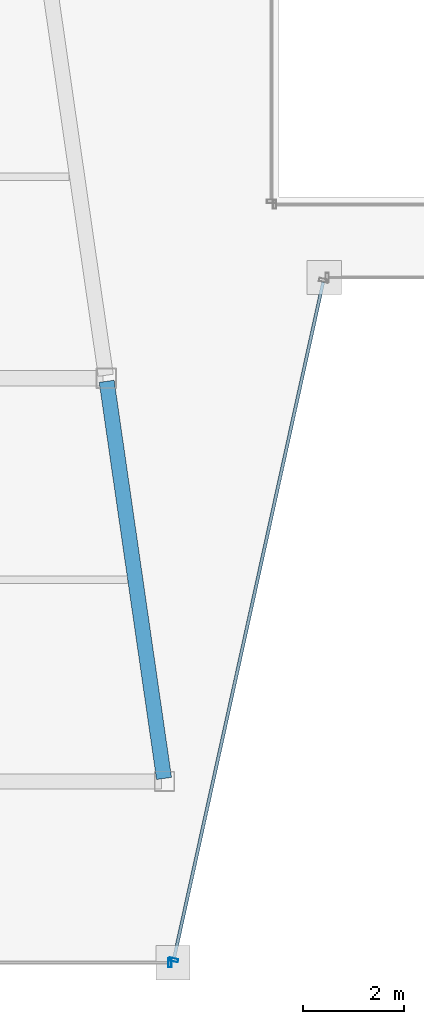
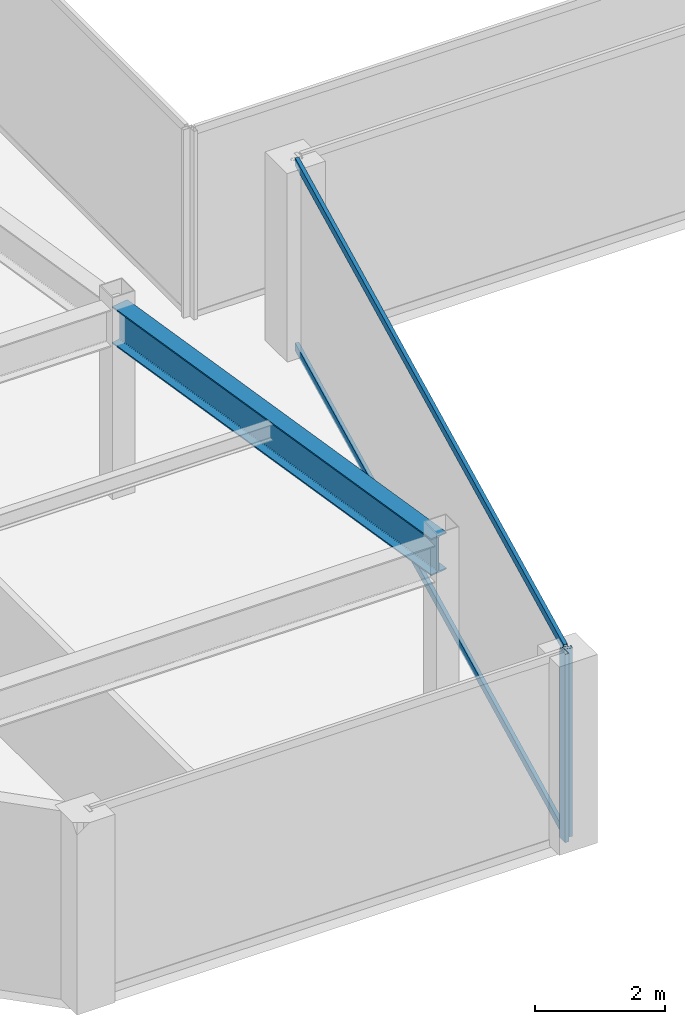
# One storey, part 6 of 35: 4 members, 1 beam, 2 elements without a shape of their own.
"""IFC4 building model written with IfcOpenShell, lengths in metres."""

from ifc_helpers import new_model, si_unit, direction, frame, origin, origin_2d, place, context, subcontext, project, spatial, hollow_rectangle, i_section, extrude, material, material_profile, profile_set, type_object, element, aggregate, save


model = new_model("IFC4")

# Units and contexts
model_context = context("Model", 3, precision=1e-05, world=origin(), true_north=direction((0.0, 1.0)))
body_context = subcontext(model_context, "Body", "Model", "MODEL_VIEW")
ifc_project = project(units=[si_unit("LENGTHUNIT", "METRE"), si_unit("AREAUNIT", "SQUARE_METRE"), si_unit("VOLUMEUNIT", "CUBIC_METRE"), si_unit("PLANEANGLEUNIT", "RADIAN"), si_unit("MASSUNIT", "GRAM", prefix="KILO")], contexts=[model_context])

# Site, building, storey
site_placement = place(None, origin())
site = spatial("IfcSite", under=ifc_project, at=site_placement, CompositionType="ELEMENT")
building_placement = place(site_placement, origin())
building = spatial("IfcBuilding", under=site, at=building_placement, Name="Saevonmaru Cultural Tower", CompositionType="ELEMENT")
storey_placement = place(building_placement, frame((0.0, 0.0, 217.0)))
storey = spatial("IfcBuildingStorey", under=building, at=storey_placement, Name="L50", CompositionType="ELEMENT", Elevation=217.0)

# Beam
ifc_material_1 = material(Name="Steel SM355", Category="steel")
ifc_material_profile_1 = material_profile(ifc_material_1, i_section(OverallWidth=0.300048828125, OverallDepth=0.699951171875, WebThickness=0.012939453125, FlangeThickness=0.02392578125, FilletRadius=0.02587890625, at=origin_2d()), Name="H-700x300x13x24")
ifc_profile_set_1 = profile_set([ifc_material_profile_1], Name="Steel SM355")
beam_type = type_object("IfcBeamType", Name="BM-G-H700", PredefinedType="BEAM", material=ifc_profile_set_1)
beam_placement = place(storey_placement, frame((21.91943359375, 16.059326171875, 3.199951171875), z_axis=(-0.143022161059, 0.989719486241, 0.0), x_axis=(-0.989719486241, -0.143022161059, 0.0)))
element("IfcBeam", 1, at=beam_placement, inside=storey, type_object=beam_type, Name="L50 West Atrium Girder 1", PredefinedType="BEAM", context=body_context, shape_type="SweptSolid", body=[
    extrude(i_section(OverallWidth=0.300048828125, OverallDepth=0.699951171875, WebThickness=0.012939453125, FlangeThickness=0.02392578125, FilletRadius=0.02587890625, at=origin_2d()), origin(), (0.0, 0.0, 1.0), 7.963134765625),
])

# Curtain wall, member
ifc_material_2 = material(Name="Satin Bronze Anodised Aluminium", Category="aluminium")
curtain_wall_type = type_object("IfcCurtainWallType", Name="CW-TYP-B", PredefinedType="NOTDEFINED", material=ifc_material_2)
curtain_wall_1_placement = place(storey_placement, origin())
curtain_wall_1 = element("IfcCurtainWall", 2, at=curtain_wall_1_placement, inside=storey, type_object=curtain_wall_type, Name="L50 Unitised Curtain Wall E2", PredefinedType="NOTDEFINED")
ifc_material_profile_2 = material_profile(ifc_material_2, hollow_rectangle(XDim=0.06494140625, YDim=0.179931640625, WallThickness=0.00390625, at=origin_2d()), Name="ALU-MULL-180x65x4")
ifc_profile_set_2 = profile_set([ifc_material_profile_2], Name="Satin Bronze Anodised Aluminium")
member_type_1 = type_object("IfcMemberType", Name="ML-CW-180x65", PredefinedType="MULLION", material=ifc_profile_set_2)
member_1_placement = place(storey_placement, frame((22.037841796875, 12.39990234375, 0.0), z_axis=(0.0, 0.0, 1.0), x_axis=(1.0, 0.0, 0.0)))
member_1 = element("IfcMember", 3, at=member_1_placement, type_object=member_type_1, Name="CW-TW-L50-E2 mullion 2", PredefinedType="MULLION", context=body_context, shape_type="SweptSolid", body=[
    extrude(hollow_rectangle(XDim=0.06494140625, YDim=0.179931640625, WallThickness=0.00390625, at=origin_2d()), origin(), (0.0, 0.0, 1.0), 3.550048828125),
])
aggregate(curtain_wall_1, [member_1])

# Curtain wall, members
curtain_wall_2_placement = place(storey_placement, origin())
curtain_wall_2 = element("IfcCurtainWall", 4, at=curtain_wall_2_placement, inside=storey, type_object=curtain_wall_type, Name="L50 Unitised Curtain Wall E3", PredefinedType="NOTDEFINED")
member_2_placement = place(storey_placement, frame((22.110595703125, 12.45849609375, 0.0), z_axis=(0.0, 0.0, 1.0), x_axis=(0.215413319953, 0.976522965212, 0.0)))
member_2 = element("IfcMember", 5, at=member_2_placement, type_object=member_type_1, Name="CW-TW-L50-E3 mullion 1", PredefinedType="MULLION", context=body_context, shape_type="SweptSolid", body=[
    extrude(hollow_rectangle(XDim=0.06494140625, YDim=0.179931640625, WallThickness=0.00390625, at=origin_2d()), origin(), (0.0, 0.0, 1.0), 3.550048828125),
])
ifc_material_profile_3 = material_profile(ifc_material_2, hollow_rectangle(XDim=0.06494140625, YDim=0.14990234375, WallThickness=0.00390625, at=origin_2d()), Name="ALU-TRAN-150x65x4")
ifc_profile_set_3 = profile_set([ifc_material_profile_3], Name="Satin Bronze Anodised Aluminium")
member_type_2 = type_object("IfcMemberType", Name="TR-CW-150x65", PredefinedType="USERDEFINED", material=ifc_profile_set_3)
member_3_placement = place(storey_placement, frame((22.11767578125, 12.490234375, 0.032470703125), z_axis=(0.21541214732, 0.976523223885, 0.0), x_axis=(-0.976523223885, 0.21541214732, 0.0)))
member_3 = element("IfcMember", 6, at=member_3_placement, type_object=member_type_2, Name="CW-TW-L50-E3 transom 1.1", ObjectType="TRANSOM", PredefinedType="USERDEFINED", context=body_context, shape_type="SweptSolid", body=[
    extrude(hollow_rectangle(XDim=0.06494140625, YDim=0.14990234375, WallThickness=0.00390625, at=origin_2d()), origin(), (0.0, 0.0, 1.0), 13.741943359375),
])
member_4_placement = place(storey_placement, frame((22.11767578125, 12.490234375, 3.517578125), z_axis=(0.21541214732, 0.976523223885, 0.0), x_axis=(-0.976523223885, 0.21541214732, 0.0)))
member_4 = element("IfcMember", 7, at=member_4_placement, type_object=member_type_2, Name="CW-TW-L50-E3 transom 1.2", ObjectType="TRANSOM", PredefinedType="USERDEFINED", context=body_context, shape_type="SweptSolid", body=[
    extrude(hollow_rectangle(XDim=0.06494140625, YDim=0.14990234375, WallThickness=0.00390625, at=origin_2d()), origin(), (0.0, 0.0, 1.0), 13.741943359375),
])
aggregate(curtain_wall_2, [member_2, member_3, member_4])

save(model, "model.ifc")
